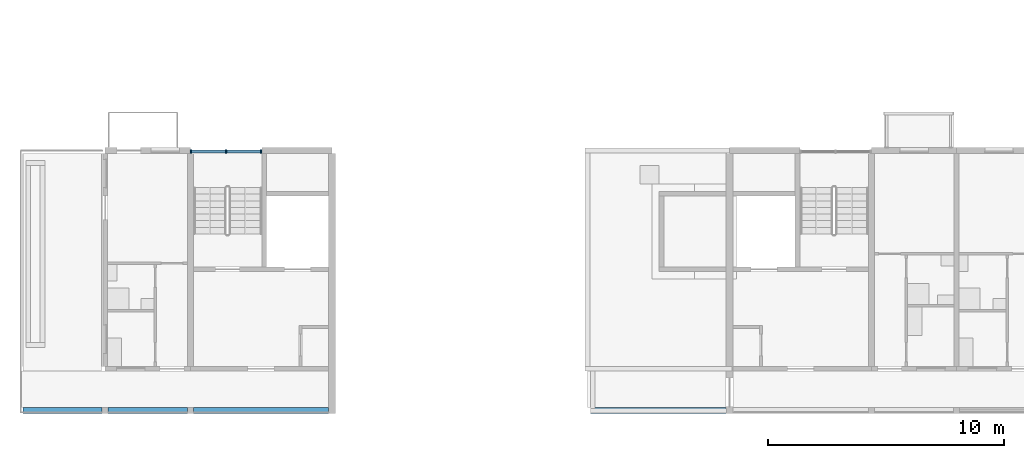
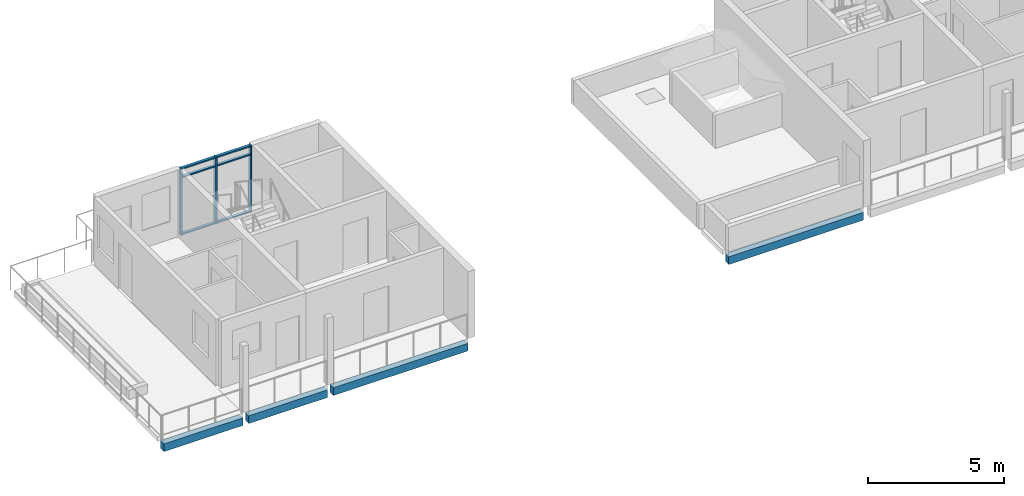
# One storey, part 3 of 41: 9 members, 4 beams, 1 element without a shape of its own.
"""IFC4 building model written with IfcOpenShell, lengths in metres."""

from ifc_helpers import new_model, si_unit, direction, frame, origin, origin_2d, place, context, subcontext, project, spatial, rectangle, extrude, material, material_profile, profile_set, type_object, element, aggregate, save


model = new_model("IFC4")

# Units and contexts
model_context = context("Model", 3, precision=1e-05, world=origin(), true_north=direction((0.0, 1.0)))
body_context = subcontext(model_context, "Body", "Model", "MODEL_VIEW")
ifc_project = project(units=[si_unit("LENGTHUNIT", "METRE"), si_unit("AREAUNIT", "SQUARE_METRE"), si_unit("VOLUMEUNIT", "CUBIC_METRE"), si_unit("PLANEANGLEUNIT", "RADIAN"), si_unit("MASSUNIT", "GRAM", prefix="KILO")], contexts=[model_context])

# Site, building, storey
site_placement = place(None, origin())
site = spatial("IfcSite", under=ifc_project, at=site_placement, CompositionType="ELEMENT")
building_placement = place(site_placement, origin())
building = spatial("IfcBuilding", under=site, at=building_placement, Name="Ridgestep Commons", CompositionType="ELEMENT")
storey_placement = place(building_placement, frame((0.0, 0.0, 39.0)))
storey = spatial("IfcBuildingStorey", under=building, at=storey_placement, Name="L13", CompositionType="ELEMENT", Elevation=39.0)

# Beams
ifc_material_1 = material(Name="Precast concrete C40/50", Category="concrete")
ifc_material_profile_1 = material_profile(ifc_material_1, rectangle(XDim=0.25, YDim=0.35009765625, at=origin_2d()), Name="PC 250x350")
ifc_profile_set_1 = profile_set([ifc_material_profile_1], Name="Precast concrete C40/50")
beam_type = type_object("IfcBeamType", Name="Loggia edge beam 250 x 350", PredefinedType="SPANDREL", material=ifc_profile_set_1)
beam_1_placement = place(storey_placement, frame((15.72509765625, 11.875, -0.375), z_axis=(1.0, 0.0, 0.0), x_axis=(0.0, 1.0, 0.0)))
element("IfcBeam", 1, at=beam_1_placement, inside=storey, type_object=beam_type, Name="Loggia edge beam A1T2 L13", PredefinedType="SPANDREL", context=body_context, shape_type="SweptSolid", body=[
    extrude(rectangle(XDim=0.25, YDim=0.35009765625, at=origin_2d()), origin(), (0.0, 0.0, 1.0), 3.349853515625),
])
beam_2_placement = place(storey_placement, frame((19.324951171875, 11.875, -0.375), z_axis=(1.0, 0.0, 0.0), x_axis=(0.0, 1.0, 0.0)))
element("IfcBeam", 2, at=beam_2_placement, inside=storey, type_object=beam_type, Name="Loggia edge beam A1T3 L13", PredefinedType="SPANDREL", context=body_context, shape_type="SweptSolid", body=[
    extrude(rectangle(XDim=0.25, YDim=0.35009765625, at=origin_2d()), origin(), (0.0, 0.0, 1.0), 3.35009765625),
])
for number, where, z_axis, x_axis, name in (
    (3, (22.925048828125, 11.875, -0.375), (1.0, 0.0, 0.0), (0.0, 1.0, 0.0), "Loggia edge beam A1C L13"),
    (4, (39.72509765625, 11.875, -0.375), (1.0, 0.0, 0.0), (0.0, 1.0, 0.0), "Loggia edge beam A2C L13"),
):
    element("IfcBeam", number, at=place(storey_placement, frame(where, z_axis=z_axis, x_axis=x_axis)), inside=storey, type_object=beam_type, Name=name, PredefinedType="SPANDREL", context=body_context, shape_type="SweptSolid", body=[
        extrude(rectangle(XDim=0.25, YDim=0.35009765625, at=origin_2d()), origin(), (0.0, 0.0, 1.0), 5.724853515625),
    ])

# Curtain wall, members
ifc_material_2 = material(Name="Aluminium 6063-T6 and glass", Category="aluminium")
curtain_wall_type = type_object("IfcCurtainWallType", Name="Curtain wall stair strip", PredefinedType="NOTDEFINED", material=ifc_material_2)
curtain_wall_placement = place(storey_placement, origin())
curtain_wall = element("IfcCurtainWall", 5, at=curtain_wall_placement, inside=storey, type_object=curtain_wall_type, Name="Curtain wall A1C level 13", PredefinedType="NOTDEFINED")
ifc_material_3 = material(Name="Aluminium 6063-T6", Category="aluminium")
ifc_material_profile_2 = material_profile(ifc_material_3, rectangle(XDim=0.159912109375, YDim=0.06005859375, at=origin_2d()), Name="Mullion 60 x 160")
ifc_profile_set_2 = profile_set([ifc_material_profile_2], Name="Aluminium 6063-T6")
member_type_1 = type_object("IfcMemberType", Name="Mullion 60 x 160", PredefinedType="MULLION", material=ifc_profile_set_2)
member_1_placement = place(storey_placement, frame((22.830078125, 22.830078125, 0.0), z_axis=(0.0, 0.0, 1.0), x_axis=(0.0, 1.0, 0.0)))
member_1 = element("IfcMember", 6, at=member_1_placement, type_object=member_type_1, Name="CW1 mullion 1", PredefinedType="MULLION", context=body_context, shape_type="SweptSolid", body=[
    extrude(rectangle(XDim=0.159912109375, YDim=0.06005859375, at=origin_2d()), origin(), (0.0, 0.0, 1.0), 3.0),
])
member_2_placement = place(storey_placement, frame((24.3125, 22.830078125, 0.0), z_axis=(0.0, 0.0, 1.0), x_axis=(0.0, 1.0, 0.0)))
member_2 = element("IfcMember", 7, at=member_2_placement, type_object=member_type_1, Name="CW1 mullion 2", PredefinedType="MULLION", context=body_context, shape_type="SweptSolid", body=[
    extrude(rectangle(XDim=0.159912109375, YDim=0.06005859375, at=origin_2d()), origin(), (0.0, 0.0, 1.0), 3.0),
])
member_3_placement = place(storey_placement, frame((25.794921875, 22.830078125, 0.0), z_axis=(0.0, 0.0, 1.0), x_axis=(0.0, 1.0, 0.0)))
member_3 = element("IfcMember", 8, at=member_3_placement, type_object=member_type_1, Name="CW1 mullion 3", PredefinedType="MULLION", context=body_context, shape_type="SweptSolid", body=[
    extrude(rectangle(XDim=0.159912109375, YDim=0.06005859375, at=origin_2d()), origin(), (0.0, 0.0, 1.0), 3.0),
])
ifc_material_4 = material(Name="Aluminium 6063-T6", Category="aluminium")
ifc_material_profile_3 = material_profile(ifc_material_4, rectangle(XDim=0.1201171875, YDim=0.06005859375, at=origin_2d()), Name="Transom 60 x 120")
ifc_profile_set_3 = profile_set([ifc_material_profile_3], Name="Aluminium 6063-T6")
member_type_2 = type_object("IfcMemberType", Name="Transom 60 x 120", PredefinedType="USERDEFINED", material=ifc_profile_set_3)
member_4_placement = place(storey_placement, frame((22.860107421875, 22.830078125, 0.030029296875), z_axis=(1.0, 0.0, 0.0), x_axis=(0.0, 1.0, 0.0)))
member_4 = element("IfcMember", 9, at=member_4_placement, type_object=member_type_2, Name="CW1 transom 1.1", ObjectType="TRANSOM", PredefinedType="USERDEFINED", context=body_context, shape_type="SweptSolid", body=[
    extrude(rectangle(XDim=0.1201171875, YDim=0.06005859375, at=origin_2d()), origin(), (0.0, 0.0, 1.0), 1.42236328125),
])
member_5_placement = place(storey_placement, frame((22.860107421875, 22.830078125, 2.590087890625), z_axis=(1.0, 0.0, 0.0), x_axis=(0.0, 1.0, 0.0)))
member_5 = element("IfcMember", 10, at=member_5_placement, type_object=member_type_2, Name="CW1 transom 1.2", ObjectType="TRANSOM", PredefinedType="USERDEFINED", context=body_context, shape_type="SweptSolid", body=[
    extrude(rectangle(XDim=0.1201171875, YDim=0.06005859375, at=origin_2d()), origin(), (0.0, 0.0, 1.0), 1.42236328125),
])
member_6_placement = place(storey_placement, frame((22.860107421875, 22.830078125, 2.969970703125), z_axis=(1.0, 0.0, 0.0), x_axis=(0.0, 1.0, 0.0)))
member_6 = element("IfcMember", 11, at=member_6_placement, type_object=member_type_2, Name="CW1 transom 1.3", ObjectType="TRANSOM", PredefinedType="USERDEFINED", context=body_context, shape_type="SweptSolid", body=[
    extrude(rectangle(XDim=0.1201171875, YDim=0.06005859375, at=origin_2d()), origin(), (0.0, 0.0, 1.0), 1.42236328125),
])
member_7_placement = place(storey_placement, frame((24.342529296875, 22.830078125, 0.030029296875), z_axis=(1.0, 0.0, 0.0), x_axis=(0.0, 1.0, 0.0)))
member_7 = element("IfcMember", 12, at=member_7_placement, type_object=member_type_2, Name="CW1 transom 2.1", ObjectType="TRANSOM", PredefinedType="USERDEFINED", context=body_context, shape_type="SweptSolid", body=[
    extrude(rectangle(XDim=0.1201171875, YDim=0.06005859375, at=origin_2d()), origin(), (0.0, 0.0, 1.0), 1.42236328125),
])
member_8_placement = place(storey_placement, frame((24.342529296875, 22.830078125, 2.590087890625), z_axis=(1.0, 0.0, 0.0), x_axis=(0.0, 1.0, 0.0)))
member_8 = element("IfcMember", 13, at=member_8_placement, type_object=member_type_2, Name="CW1 transom 2.2", ObjectType="TRANSOM", PredefinedType="USERDEFINED", context=body_context, shape_type="SweptSolid", body=[
    extrude(rectangle(XDim=0.1201171875, YDim=0.06005859375, at=origin_2d()), origin(), (0.0, 0.0, 1.0), 1.42236328125),
])
member_9_placement = place(storey_placement, frame((24.342529296875, 22.830078125, 2.969970703125), z_axis=(1.0, 0.0, 0.0), x_axis=(0.0, 1.0, 0.0)))
member_9 = element("IfcMember", 14, at=member_9_placement, type_object=member_type_2, Name="CW1 transom 2.3", ObjectType="TRANSOM", PredefinedType="USERDEFINED", context=body_context, shape_type="SweptSolid", body=[
    extrude(rectangle(XDim=0.1201171875, YDim=0.06005859375, at=origin_2d()), origin(), (0.0, 0.0, 1.0), 1.42236328125),
])
aggregate(curtain_wall, [member_1, member_2, member_3, member_4, member_5, member_6, member_7, member_8, member_9])

save(model, "model.ifc")
